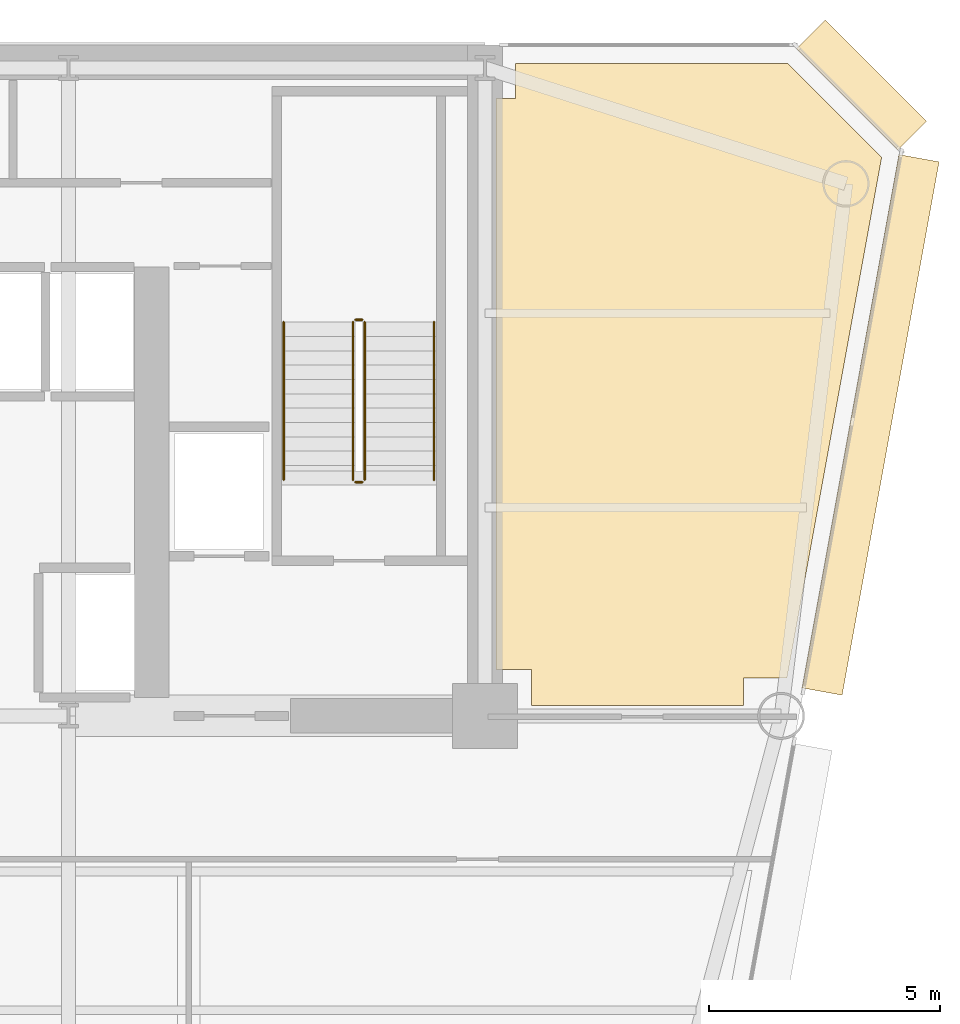
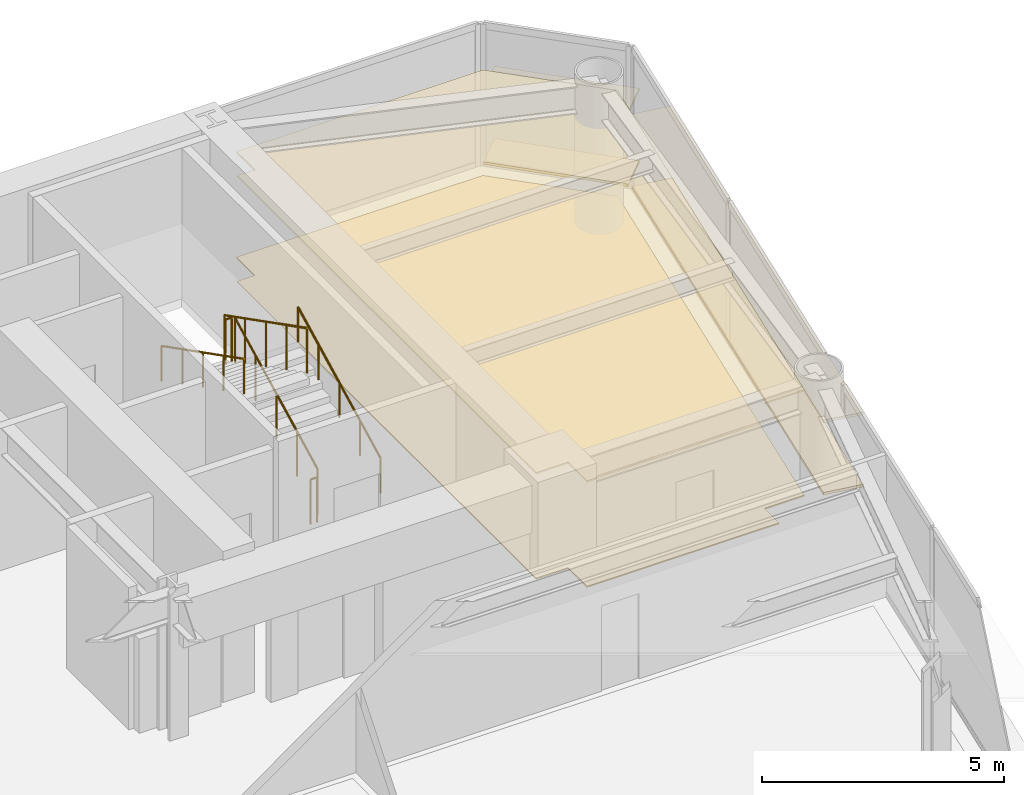
# One storey, part 14 of 14: 6 coverings, 6 railings.
"""IFC4 building model written with IfcOpenShell, lengths in metres."""

from ifc_helpers import new_model, si_unit, direction, frame, origin, origin_2d, place, context, subcontext, project, spatial, polyline, rectangle, circle, outline, extrude, source, transform, mapped, material, layer, layer_set, type_object, element, save


model = new_model("IFC4")

# Units and contexts
model_context = context("Model", 3, precision=1e-05, world=origin(), true_north=direction((0.0, 1.0)))
body_context = subcontext(model_context, "Body", "Model", "MODEL_VIEW")
ifc_project = project(units=[si_unit("LENGTHUNIT", "METRE"), si_unit("AREAUNIT", "SQUARE_METRE"), si_unit("VOLUMEUNIT", "CUBIC_METRE"), si_unit("PLANEANGLEUNIT", "RADIAN"), si_unit("MASSUNIT", "GRAM", prefix="KILO")], contexts=[model_context])

# Site, building, storey
site_placement = place(None, origin())
site = spatial("IfcSite", under=ifc_project, at=site_placement, CompositionType="ELEMENT")
building_placement = place(site_placement, origin())
building = spatial("IfcBuilding", under=site, at=building_placement, Name="Vaeldorn Concourse Tower", CompositionType="ELEMENT")
storey_placement = place(building_placement, frame((0.0, 0.0, 126.199951171875)))
storey = spatial("IfcBuildingStorey", under=building, at=storey_placement, Name="L32", CompositionType="ELEMENT", Elevation=126.199951171875)

# Coverings
ifc_material_1 = material(Name="Acoustic Mineral Fibre Board", Category="gypsum")
ifc_layer_1 = layer(ifc_material_1, 0.0400390625)
ifc_layer_set_1 = layer_set([ifc_layer_1], Name="Acoustic Mineral Fibre Board")
covering_type_1 = type_object("IfcCoveringType", Name="COV-CEIL-ACOUSTIC", PredefinedType="CEILING", material=ifc_layer_set_1)
covering_1_placement = place(storey_placement, frame((0.0, 0.0, 2.650146484375)))
element("IfcCovering", 1, at=covering_1_placement, inside=storey, type_object=covering_type_1, Name="Suspended Acoustic Ceiling L32-5", PredefinedType="CEILING", context=body_context, shape_type="SweptSolid", body=[
    extrude(outline(polyline([(54.659912109375, 49.840087890625), (54.659912109375, 50.60009765625), (60.5341796875, 50.60009765625), (62.56884765625, 48.565185546875), (60.524658203125, 37.320068359375), (59.580078125, 37.320068359375), (59.580078125, 36.719970703125), (55.0, 36.719970703125), (55.0, 37.5), (54.239990234375, 37.5), (54.239990234375, 49.840087890625), (54.659912109375, 49.840087890625)])), origin(), (0.0, 0.0, 1.0), 0.039794921875),
])
ifc_material_2 = material(Name="Honed Limestone Terrazzo Flooring", Category="masonry")
ifc_layer_2 = layer(ifc_material_2, 0.0400390625)
ifc_layer_set_2 = layer_set([ifc_layer_2], Name="Honed Limestone Terrazzo Flooring")
covering_type_2 = type_object("IfcCoveringType", Name="COV-FLOOR-STONE", PredefinedType="FLOORING", material=ifc_layer_set_2)
covering_2_placement = place(storey_placement, origin())
element("IfcCovering", 2, at=covering_2_placement, inside=storey, type_object=covering_type_2, Name="Floor Finish Covering L32-5", PredefinedType="FLOORING", context=body_context, shape_type="SweptSolid", body=[
    extrude(outline(polyline([(54.659912109375, 49.840087890625), (54.659912109375, 50.60009765625), (60.5341796875, 50.60009765625), (62.56884765625, 48.565185546875), (60.524658203125, 37.320068359375), (59.580078125, 37.320068359375), (59.580078125, 36.719970703125), (55.0, 36.719970703125), (55.0, 37.5), (54.239990234375, 37.5), (54.239990234375, 49.840087890625), (54.659912109375, 49.840087890625)])), origin(), (0.0, 0.0, 1.0), 0.030029296875),
])

# Railings
ifc_material_3 = material(Name="Anodised Bronze Aluminium", Category="aluminium")
railing_type_1 = type_object("IfcRailingType", Name="RL-STAIR-GUARD", PredefinedType="GUARDRAIL", material=ifc_material_3)
railing_1_placement = place(storey_placement, frame((51.39990234375, 41.60009765625, 0.158447265625)))
element("IfcRailing", 3, at=railing_1_placement, inside=storey, type_object=railing_type_1, Name="L32 ST-2 stair guard 1", PredefinedType="GUARDRAIL", context=body_context, shape_type="SweptSolid", body=[
    extrude(circle(Radius=0.02392578125, at=origin_2d()), frame((0.0, 0.0, 1.1259765625), z_axis=(0.0, 0.890555807335, 0.454873997962), x_axis=(-1.0, 0.0, 0.0)), (0.0, 0.0, 1.0), 3.828857421875),
    extrude(circle(Radius=0.02099609375, at=origin_2d()), origin(), (0.0, 0.0, 1.0), 1.101806640625),
    extrude(circle(Radius=0.02099609375, at=origin_2d()), frame((0.0, 0.8525390625, 0.435546875)), (0.0, 0.0, 1.0), 1.101806640625),
    extrude(circle(Radius=0.02099609375, at=origin_2d()), frame((0.0, 1.705078125, 0.870849609375)), (0.0, 0.0, 1.0), 1.101806640625),
    extrude(circle(Radius=0.02099609375, at=origin_2d()), frame((0.0, 2.557373046875, 1.30615234375)), (0.0, 0.0, 1.0), 1.101806640625),
    extrude(circle(Radius=0.02099609375, at=origin_2d()), frame((0.0, 3.409912109375, 1.74169921875)), (0.0, 0.0, 1.0), 1.101806640625),
])
railing_2_placement = place(storey_placement, frame((51.35009765625, 45.06005859375, 1.900146484375)))
element("IfcRailing", 4, at=railing_2_placement, inside=storey, type_object=railing_type_1, Name="L32 ST-2 stair guard 2", PredefinedType="GUARDRAIL", context=body_context, shape_type="SweptSolid", body=[
    extrude(circle(Radius=0.02392578125, at=origin_2d()), frame((0.0, 0.0, 1.1259765625), z_axis=(-1.0, 0.0, 0.0), x_axis=(0.0, -1.0, 0.0)), (0.0, 0.0, 1.0), 0.150146484375),
    extrude(circle(Radius=0.02099609375, at=origin_2d()), origin(), (0.0, 0.0, 1.0), 1.101806640625),
    extrude(circle(Radius=0.02099609375, at=origin_2d()), frame((-0.150146484375, 0.0, 0.0)), (0.0, 0.0, 1.0), 1.101806640625),
])
railing_3_placement = place(storey_placement, frame((51.14990234375, 45.010009765625, 2.058349609375)))
element("IfcRailing", 5, at=railing_3_placement, inside=storey, type_object=railing_type_1, Name="L32 ST-2 stair guard 3", PredefinedType="GUARDRAIL", context=body_context, shape_type="SweptSolid", body=[
    extrude(circle(Radius=0.02392578125, at=origin_2d()), frame((0.0, 0.0, 1.1259765625), z_axis=(0.0, -0.890555807335, 0.454873997962), x_axis=(1.0, 0.0, 0.0)), (0.0, 0.0, 1.0), 3.828857421875),
    extrude(circle(Radius=0.02099609375, at=origin_2d()), origin(), (0.0, 0.0, 1.0), 1.101806640625),
    extrude(circle(Radius=0.02099609375, at=origin_2d()), frame((0.0, -0.8525390625, 0.435546875)), (0.0, 0.0, 1.0), 1.101806640625),
    extrude(circle(Radius=0.02099609375, at=origin_2d()), frame((0.0, -1.705078125, 0.870849609375)), (0.0, 0.0, 1.0), 1.101806640625),
    extrude(circle(Radius=0.02099609375, at=origin_2d()), frame((0.0, -2.557373046875, 1.30615234375)), (0.0, 0.0, 1.0), 1.101806640625),
    extrude(circle(Radius=0.02099609375, at=origin_2d()), frame((0.0, -3.409912109375, 1.74169921875)), (0.0, 0.0, 1.0), 1.101806640625),
])
railing_4_placement = place(storey_placement, frame((51.35009765625, 41.550048828125, 0.0)))
element("IfcRailing", 6, at=railing_4_placement, inside=storey, type_object=railing_type_1, Name="L32 ST-2 stair guard 4", PredefinedType="GUARDRAIL", context=body_context, shape_type="SweptSolid", body=[
    extrude(circle(Radius=0.02392578125, at=origin_2d()), frame((0.0, 0.0, 1.1259765625), z_axis=(-1.0, 0.0, 0.0), x_axis=(0.0, -1.0, 0.0)), (0.0, 0.0, 1.0), 0.150146484375),
    extrude(circle(Radius=0.02099609375, at=origin_2d()), origin(), (0.0, 0.0, 1.0), 1.101806640625),
    extrude(circle(Radius=0.02099609375, at=origin_2d()), frame((-0.150146484375, 0.0, 0.0)), (0.0, 0.0, 1.0), 1.101806640625),
])
railing_type_2 = type_object("IfcRailingType", Name="RL-STAIR-HANDRAIL", PredefinedType="HANDRAIL", material=ifc_material_3)
railing_5_placement = place(storey_placement, frame((52.89990234375, 41.60009765625, 0.158447265625)))
element("IfcRailing", 7, at=railing_5_placement, inside=storey, type_object=railing_type_2, Name="L32 ST-2 stair handrail 1", PredefinedType="HANDRAIL", context=body_context, shape_type="SweptSolid", body=[
    extrude(circle(Radius=0.02392578125, at=origin_2d()), frame((0.0, 0.0, 0.8759765625), z_axis=(0.0, 0.890555807335, 0.454873997962), x_axis=(-1.0, 0.0, 0.0)), (0.0, 0.0, 1.0), 3.828857421875),
    extrude(circle(Radius=0.02099609375, at=origin_2d()), origin(), (0.0, 0.0, 1.0), 0.851806640625),
    extrude(circle(Radius=0.02099609375, at=origin_2d()), frame((0.0, 0.8525390625, 0.435546875)), (0.0, 0.0, 1.0), 0.851806640625),
    extrude(circle(Radius=0.02099609375, at=origin_2d()), frame((0.0, 1.705078125, 0.870849609375)), (0.0, 0.0, 1.0), 0.851806640625),
    extrude(circle(Radius=0.02099609375, at=origin_2d()), frame((0.0, 2.557373046875, 1.30615234375)), (0.0, 0.0, 1.0), 0.851806640625),
    extrude(circle(Radius=0.02099609375, at=origin_2d()), frame((0.0, 3.409912109375, 1.74169921875)), (0.0, 0.0, 1.0), 0.851806640625),
])
railing_6_placement = place(storey_placement, frame((49.64990234375, 45.010009765625, 2.058349609375)))
element("IfcRailing", 8, at=railing_6_placement, inside=storey, type_object=railing_type_2, Name="L32 ST-2 stair handrail 2", PredefinedType="HANDRAIL", context=body_context, shape_type="SweptSolid", body=[
    extrude(circle(Radius=0.02392578125, at=origin_2d()), frame((0.0, 0.0, 0.8759765625), z_axis=(0.0, -0.890555807335, 0.454873997962), x_axis=(1.0, 0.0, 0.0)), (0.0, 0.0, 1.0), 3.828857421875),
    extrude(circle(Radius=0.02099609375, at=origin_2d()), origin(), (0.0, 0.0, 1.0), 0.851806640625),
    extrude(circle(Radius=0.02099609375, at=origin_2d()), frame((0.0, -0.8525390625, 0.435546875)), (0.0, 0.0, 1.0), 0.851806640625),
    extrude(circle(Radius=0.02099609375, at=origin_2d()), frame((0.0, -1.705078125, 0.870849609375)), (0.0, 0.0, 1.0), 0.851806640625),
    extrude(circle(Radius=0.02099609375, at=origin_2d()), frame((0.0, -2.557373046875, 1.30615234375)), (0.0, 0.0, 1.0), 0.851806640625),
    extrude(circle(Radius=0.02099609375, at=origin_2d()), frame((0.0, -3.409912109375, 1.74169921875)), (0.0, 0.0, 1.0), 0.851806640625),
])

# Coverings
ifc_layer_3 = layer(ifc_material_3, 0.06494140625)
ifc_layer_set_3 = layer_set([ifc_layer_3], Name="Anodised Bronze Aluminium")
covering_type_3 = type_object("IfcCoveringType", Name="SD-BRONZE-SUNSHADE", PredefinedType="USERDEFINED", material=ifc_layer_set_3)
shared_shape_1 = source(origin(), body_context, "Body", "SweptSolid", [
    extrude(rectangle(XDim=3.0927734375, YDim=0.8798828125, at=origin_2d()), origin(), (0.0, 0.0, 1.0), 0.06494140625),
])
for number, where, z_axis, x_axis, name in (
    (9, (62.1328125, 50.1328125, 0.047607421875), (0.0, 0.0, 1.0), (-0.707106781187, 0.707106781187, 0.0), "Horizontal Bronze Sunshade L32-E08.1.1"),
    (10, (62.1328125, 50.1328125, 1.86767578125), (0.0, 0.0, 1.0), (-0.707106781187, 0.707106781187, 0.0), "Horizontal Bronze Sunshade L32-E08.1.2"),
):
    element("IfcCovering", number, at=place(storey_placement, frame(where, z_axis=z_axis, x_axis=x_axis)), inside=storey, type_object=covering_type_3, Name=name, ObjectType="SUNSHADE", PredefinedType="USERDEFINED", context=body_context, shape_type="MappedRepresentation", body=[
        mapped(shared_shape_1, transform((0.0, 0.0, 0.0), scale=1.0)),
    ])
shared_shape_2 = source(origin(), body_context, "Body", "SweptSolid", [
    extrude(rectangle(XDim=11.71337890625, YDim=0.8798828125, at=origin_2d()), origin(), (0.0, 0.0, 1.0), 0.06494140625),
])
for number, where, z_axis, x_axis, name in (
    (11, (62.331787109375, 42.78759765625, 0.047607421875), (0.0, 0.0, 1.0), (0.178853730971, 0.983875674523, 0.0), "Horizontal Bronze Sunshade L32-E07.2.1"),
    (12, (62.331787109375, 42.78759765625, 1.86767578125), (0.0, 0.0, 1.0), (0.178853730971, 0.983875674523, 0.0), "Horizontal Bronze Sunshade L32-E07.2.2"),
):
    element("IfcCovering", number, at=place(storey_placement, frame(where, z_axis=z_axis, x_axis=x_axis)), inside=storey, type_object=covering_type_3, Name=name, ObjectType="SUNSHADE", PredefinedType="USERDEFINED", context=body_context, shape_type="MappedRepresentation", body=[
        mapped(shared_shape_2, transform((0.0, 0.0, 0.0), scale=1.0)),
    ])

save(model, "model.ifc")
